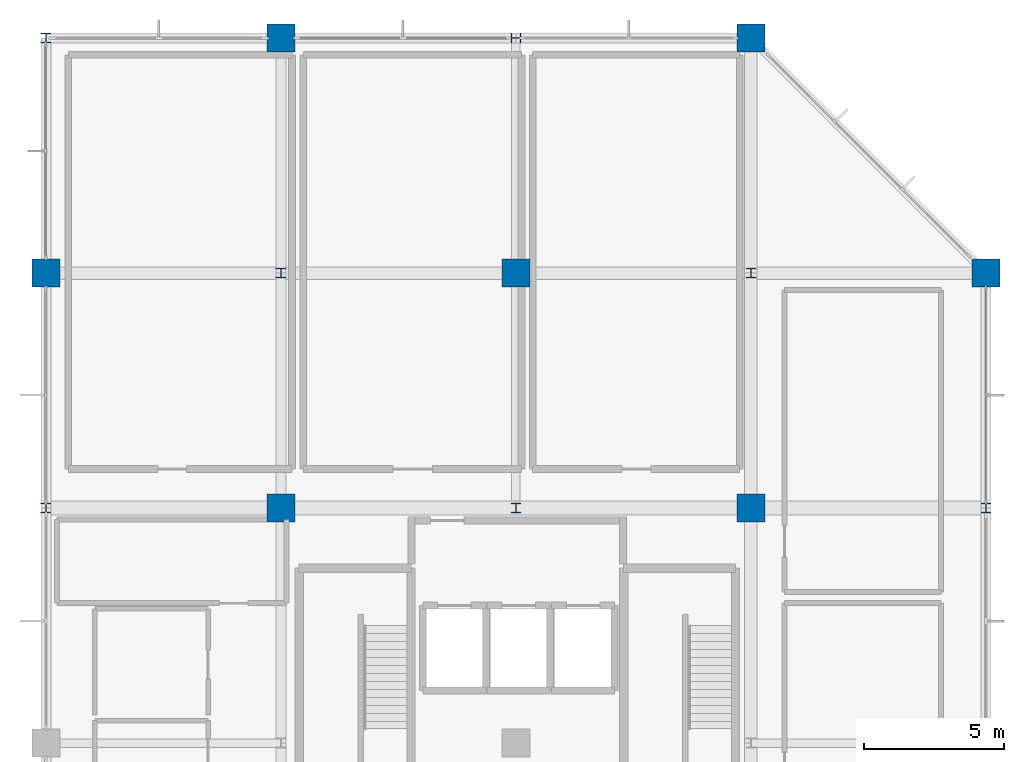
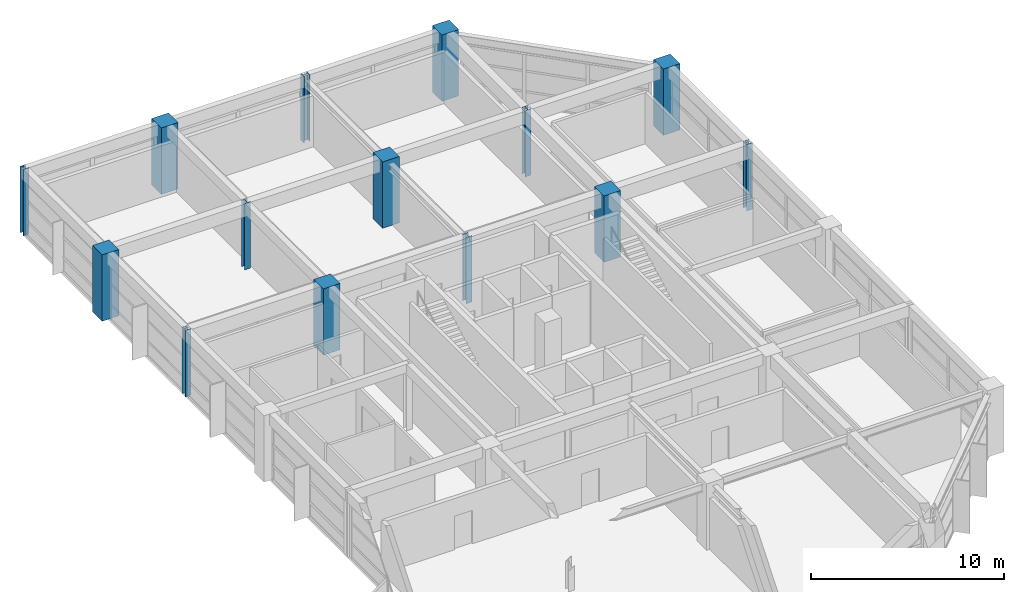
# One storey, part 2 of 16: 14 columns.
"""IFC4 building model written with IfcOpenShell, lengths in metres."""

from ifc_helpers import new_model, si_unit, direction, frame, origin, origin_2d, place, context, subcontext, project, spatial, rectangle, i_section, extrude, material, material_profile, profile_set, type_object, element, save


model = new_model("IFC4")

# Units and contexts
model_context = context("Model", 3, precision=1e-05, world=origin(), true_north=direction((0.0, 1.0)))
body_context = subcontext(model_context, "Body", "Model", "MODEL_VIEW")
ifc_project = project(units=[si_unit("LENGTHUNIT", "METRE"), si_unit("AREAUNIT", "SQUARE_METRE"), si_unit("VOLUMEUNIT", "CUBIC_METRE"), si_unit("PLANEANGLEUNIT", "RADIAN"), si_unit("MASSUNIT", "GRAM", prefix="KILO")], contexts=[model_context])

# Site, building, storey
site_placement = place(None, origin())
site = spatial("IfcSite", under=ifc_project, at=site_placement, CompositionType="ELEMENT")
building_placement = place(site_placement, origin())
building = spatial("IfcBuilding", under=site, at=building_placement, Name="Xuanlan Plaza Opera House", CompositionType="ELEMENT")
storey_placement = place(building_placement, frame((0.0, 0.0, 48.89990234375)))
storey = spatial("IfcBuildingStorey", under=building, at=storey_placement, Name="L11", CompositionType="ELEMENT", Elevation=48.89990234375)

# Columns
ifc_material_1 = material(Name="Concrete C50", Category="concrete")
ifc_material_profile_1 = material_profile(ifc_material_1, rectangle(XDim=1.0, YDim=1.0, at=origin_2d()), Name="RC-COL 1000x1000")
ifc_profile_set_1 = profile_set([ifc_material_profile_1], Name="Concrete C50")
column_type_1 = type_object("IfcColumnType", Name="STR-COL-C-04", PredefinedType="COLUMN", material=ifc_profile_set_1)
for number, where, z_axis, x_axis, name in (
    (1, (126.0, 75.60009765625, 0.0), (0.0, 0.0, 1.0), (1.0, 0.0, 0.0), "Column L11 16-J"),
    (2, (134.39990234375, 67.199951171875, 0.0), (0.0, 0.0, 1.0), (1.0, 0.0, 0.0), "Column L11 17-I"),
    (3, (134.39990234375, 84.0, 0.0), (0.0, 0.0, 1.0), (1.0, 0.0, 0.0), "Column L11 17-K"),
    (4, (142.800048828125, 75.60009765625, 0.0), (0.0, 0.0, 1.0), (1.0, 0.0, 0.0), "Column L11 18-J"),
    (5, (151.199951171875, 67.199951171875, 0.0), (0.0, 0.0, 1.0), (1.0, 0.0, 0.0), "Column L11 19-I"),
    (6, (151.199951171875, 84.0, 0.0), (0.0, 0.0, 1.0), (1.0, 0.0, 0.0), "Column L11 19-K"),
    (7, (159.60009765625, 75.60009765625, 0.0), (0.0, 0.0, 1.0), (1.0, 0.0, 0.0), "Column L11 20-J"),
):
    element("IfcColumn", number, at=place(storey_placement, frame(where, z_axis=z_axis, x_axis=x_axis)), inside=storey, type_object=column_type_1, Name=name, PredefinedType="COLUMN", context=body_context, shape_type="SweptSolid", body=[
        extrude(rectangle(XDim=1.0, YDim=1.0, at=origin_2d()), origin(), (0.0, 0.0, 1.0), 4.2001953125),
    ])
ifc_material_2 = material(Name="Steel Q355B", Category="steel")
ifc_material_profile_2 = material_profile(ifc_material_2, i_section(OverallWidth=0.35009765625, OverallDepth=0.35009765625, WebThickness=0.011962890625, FlangeThickness=0.01904296875, FilletRadius=0.02001953125, at=origin_2d()), Name="HW 350x350x12x19")
ifc_profile_set_2 = profile_set([ifc_material_profile_2], Name="Steel Q355B")
column_type_2 = type_object("IfcColumnType", Name="STR-COL-C-15", PredefinedType="COLUMN", material=ifc_profile_set_2)
for number, where, z_axis, x_axis, name in (
    (8, (126.0, 67.199951171875, 0.0), (0.0, 0.0, 1.0), (1.0, 0.0, 0.0), "Column L11 16-I"),
    (9, (126.0, 84.0, 0.0), (0.0, 0.0, 1.0), (1.0, 0.0, 0.0), "Column L11 16-K"),
    (10, (134.39990234375, 75.60009765625, 0.0), (0.0, 0.0, 1.0), (1.0, 0.0, 0.0), "Column L11 17-J"),
    (11, (142.800048828125, 67.199951171875, 0.0), (0.0, 0.0, 1.0), (1.0, 0.0, 0.0), "Column L11 18-I"),
    (12, (142.800048828125, 84.0, 0.0), (0.0, 0.0, 1.0), (0.0, 1.0, 0.0), "Column L11 18-K"),
    (13, (151.199951171875, 75.60009765625, 0.0), (0.0, 0.0, 1.0), (1.0, 0.0, 0.0), "Column L11 19-J"),
    (14, (159.60009765625, 67.199951171875, 0.0), (0.0, 0.0, 1.0), (1.0, 0.0, 0.0), "Column L11 20-I"),
):
    element("IfcColumn", number, at=place(storey_placement, frame(where, z_axis=z_axis, x_axis=x_axis)), inside=storey, type_object=column_type_2, Name=name, PredefinedType="COLUMN", context=body_context, shape_type="SweptSolid", body=[
        extrude(i_section(OverallWidth=0.35009765625, OverallDepth=0.35009765625, WebThickness=0.011962890625, FlangeThickness=0.01904296875, FilletRadius=0.02001953125, at=origin_2d()), origin(), (0.0, 0.0, 1.0), 4.2001953125),
    ])

save(model, "model.ifc")
